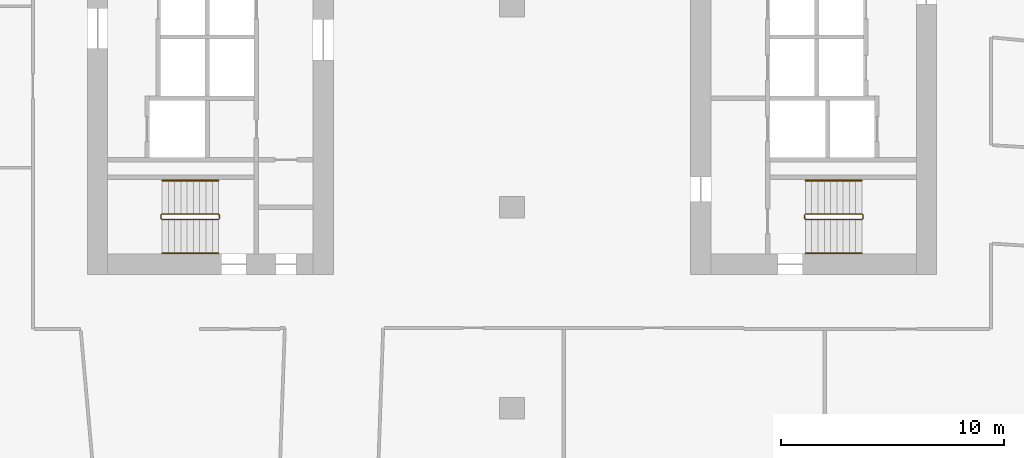
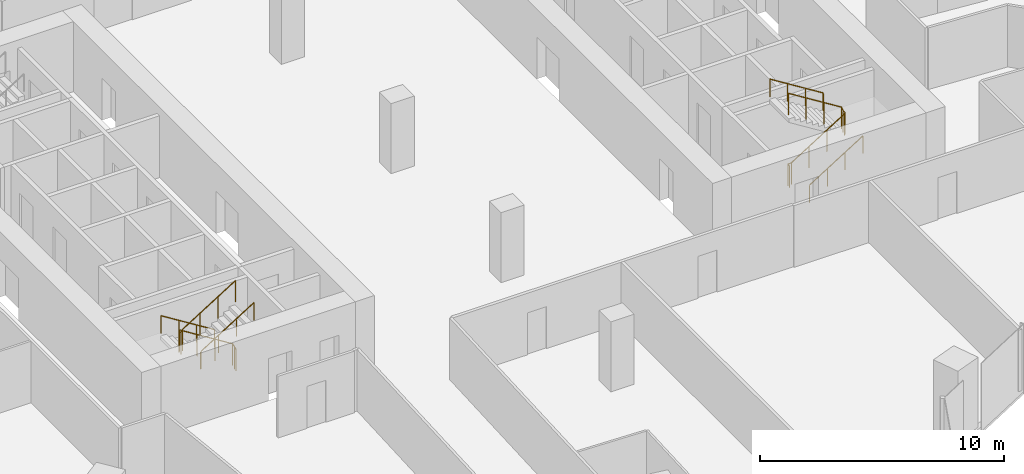
# One storey, part 32 of 34: 6 railings.
"""IFC4 building model written with IfcOpenShell, lengths in metres."""

from ifc_helpers import new_model, si_unit, direction, frame, origin, origin_2d, place, context, subcontext, project, spatial, circle, extrude, material, type_object, element, save


model = new_model("IFC4")

# Units and contexts
model_context = context("Model", 3, precision=1e-05, world=origin(), true_north=direction((0.0, 1.0)))
body_context = subcontext(model_context, "Body", "Model", "MODEL_VIEW")
ifc_project = project(units=[si_unit("LENGTHUNIT", "METRE"), si_unit("AREAUNIT", "SQUARE_METRE"), si_unit("VOLUMEUNIT", "CUBIC_METRE"), si_unit("PLANEANGLEUNIT", "RADIAN"), si_unit("MASSUNIT", "GRAM", prefix="KILO")], contexts=[model_context])

# Site, building, storey
site_placement = place(None, origin())
site = spatial("IfcSite", under=ifc_project, at=site_placement, CompositionType="ELEMENT")
building_placement = place(site_placement, origin())
building = spatial("IfcBuilding", under=site, at=building_placement, Name="Orlundy Tower", CompositionType="ELEMENT")
storey_placement = place(building_placement, frame((0.0, 0.0, 130.699951171875)))
storey = spatial("IfcBuildingStorey", under=building, at=storey_placement, Name="L33", CompositionType="ELEMENT", Elevation=130.699951171875)

# Railings
ifc_material_1 = material(Name="Steel balustrade", Category="steel")
railing_type_1 = type_object("IfcRailingType", Name="Stair Guard 1100", PredefinedType="GUARDRAIL", material=ifc_material_1)
railing_1_placement = place(storey_placement, frame((-13.090087890625, -9.35009765625, 0.0)))
element("IfcRailing", 1, at=railing_1_placement, inside=storey, type_object=railing_type_1, Name="L33 ST-W2 stair guard 1", PredefinedType="GUARDRAIL", context=body_context, shape_type="SweptSolid", body=[
    extrude(circle(Radius=0.02392578125, at=origin_2d()), frame((0.0, 0.0, 1.076171875), z_axis=(0.0, -1.0, 0.0), x_axis=(1.0, 0.0, 0.0)), (0.0, 0.0, 1.0), 0.14990234375),
    extrude(circle(Radius=0.02392578125, at=origin_2d()), frame((0.0, -0.14990234375, 1.076171875), z_axis=(-0.18420542264, 0.739530593833, 0.647427882513), x_axis=(-0.970351222016, -0.241699205484, 0.0)), (0.0, 0.0, 1.0), 0.270263671875),
    extrude(circle(Radius=0.02392578125, at=origin_2d()), frame((-0.0498046875, 0.050048828125, 1.2509765625), z_axis=(-0.848007534815, 0.0, 0.529984170421), x_axis=(0.0, -1.0, 0.0)), (0.0, 0.0, 1.0), 2.9716796875),
    extrude(circle(Radius=0.02392578125, at=origin_2d()), frame((-2.56982421875, 0.050048828125, 2.826171875), z_axis=(-0.707106781187, -0.707106781187, 0.0), x_axis=(0.707106781187, -0.707106781187, 0.0)), (0.0, 0.0, 1.0), 0.07080078125),
    extrude(circle(Radius=0.02392578125, at=origin_2d()), frame((-2.619873046875, 0.0, 2.826171875), z_axis=(0.0, -1.0, 0.0), x_axis=(1.0, 0.0, 0.0)), (0.0, 0.0, 1.0), 0.14990234375),
    extrude(circle(Radius=0.02392578125, at=origin_2d()), frame((-2.619873046875, -0.14990234375, 2.826171875), z_axis=(0.265065253269, -0.265065253269, 0.927081885822), x_axis=(0.707106781187, 0.707106781187, 0.0)), (0.0, 0.0, 1.0), 0.188720703125),
    extrude(circle(Radius=0.02392578125, at=origin_2d()), frame((-2.56982421875, -0.199951171875, 3.0009765625), z_axis=(0.848007534815, 0.0, 0.529984170421), x_axis=(0.0, 1.0, 0.0)), (0.0, 0.0, 1.0), 2.9716796875),
    extrude(circle(Radius=0.02099609375, at=origin_2d()), origin(), (0.0, 0.0, 1.0), 1.052001953125),
    extrude(circle(Radius=0.02099609375, at=origin_2d()), frame((0.0, -0.14990234375, 0.0)), (0.0, 0.0, 1.0), 1.052001953125),
    extrude(circle(Radius=0.02099609375, at=origin_2d()), frame((-0.0498046875, 0.050048828125, 0.175048828125)), (0.0, 0.0, 1.0), 1.052001953125),
    extrude(circle(Radius=0.02099609375, at=origin_2d()), frame((-0.889892578125, 0.050048828125, 0.699951171875)), (0.0, 0.0, 1.0), 1.052001953125),
    extrude(circle(Radius=0.02099609375, at=origin_2d()), frame((-1.729736328125, 0.050048828125, 1.22509765625)), (0.0, 0.0, 1.0), 1.052001953125),
    extrude(circle(Radius=0.02099609375, at=origin_2d()), frame((-2.56982421875, 0.050048828125, 1.75)), (0.0, 0.0, 1.0), 1.052001953125),
    extrude(circle(Radius=0.02099609375, at=origin_2d()), frame((-2.619873046875, 0.0, 1.75)), (0.0, 0.0, 1.0), 1.052001953125),
    extrude(circle(Radius=0.02099609375, at=origin_2d()), frame((-2.619873046875, -0.14990234375, 1.75)), (0.0, 0.0, 1.0), 1.052001953125),
    extrude(circle(Radius=0.02099609375, at=origin_2d()), frame((-2.56982421875, -0.199951171875, 1.925048828125)), (0.0, 0.0, 1.0), 1.052001953125),
    extrude(circle(Radius=0.02099609375, at=origin_2d()), frame((-1.729736328125, -0.199951171875, 2.449951171875)), (0.0, 0.0, 1.0), 1.052001953125),
    extrude(circle(Radius=0.02099609375, at=origin_2d()), frame((-0.889892578125, -0.199951171875, 2.97509765625)), (0.0, 0.0, 1.0), 1.052001953125),
    extrude(circle(Radius=0.02099609375, at=origin_2d()), frame((-0.0498046875, -0.199951171875, 3.5)), (0.0, 0.0, 1.0), 1.052001953125),
])
railing_2_placement = place(storey_placement, frame((13.090087890625, -9.5, 0.0)))
element("IfcRailing", 2, at=railing_2_placement, inside=storey, type_object=railing_type_1, Name="L33 ST-E1 stair guard 1", PredefinedType="GUARDRAIL", context=body_context, shape_type="SweptSolid", body=[
    extrude(circle(Radius=0.02392578125, at=origin_2d()), frame((0.0, 0.0, 1.076171875), z_axis=(0.0, 1.0, 0.0), x_axis=(-1.0, 0.0, 0.0)), (0.0, 0.0, 1.0), 0.14990234375),
    extrude(circle(Radius=0.02392578125, at=origin_2d()), frame((0.0, 0.14990234375, 1.076171875), z_axis=(0.18420542264, -0.739530593833, 0.647427882513), x_axis=(0.970351222016, 0.241699205484, 0.0)), (0.0, 0.0, 1.0), 0.270263671875),
    extrude(circle(Radius=0.02392578125, at=origin_2d()), frame((0.0498046875, -0.050048828125, 1.2509765625), z_axis=(0.848007534815, 0.0, 0.529984170421), x_axis=(0.0, 1.0, 0.0)), (0.0, 0.0, 1.0), 2.9716796875),
    extrude(circle(Radius=0.02392578125, at=origin_2d()), frame((2.56982421875, -0.050048828125, 2.826171875), z_axis=(0.707106781187, 0.707106781187, 0.0), x_axis=(-0.707106781187, 0.707106781187, 0.0)), (0.0, 0.0, 1.0), 0.07080078125),
    extrude(circle(Radius=0.02392578125, at=origin_2d()), frame((2.619873046875, 0.0, 2.826171875), z_axis=(0.0, 1.0, 0.0), x_axis=(-1.0, 0.0, 0.0)), (0.0, 0.0, 1.0), 0.14990234375),
    extrude(circle(Radius=0.02392578125, at=origin_2d()), frame((2.619873046875, 0.14990234375, 2.826171875), z_axis=(-0.265065253269, 0.265065253269, 0.927081885822), x_axis=(-0.707106781187, -0.707106781187, 0.0)), (0.0, 0.0, 1.0), 0.188720703125),
    extrude(circle(Radius=0.02392578125, at=origin_2d()), frame((2.56982421875, 0.199951171875, 3.0009765625), z_axis=(-0.848007534815, 0.0, 0.529984170421), x_axis=(0.0, -1.0, 0.0)), (0.0, 0.0, 1.0), 2.9716796875),
    extrude(circle(Radius=0.02099609375, at=origin_2d()), origin(), (0.0, 0.0, 1.0), 1.052001953125),
    extrude(circle(Radius=0.02099609375, at=origin_2d()), frame((0.0, 0.14990234375, 0.0)), (0.0, 0.0, 1.0), 1.052001953125),
    extrude(circle(Radius=0.02099609375, at=origin_2d()), frame((0.0498046875, -0.050048828125, 0.175048828125)), (0.0, 0.0, 1.0), 1.052001953125),
    extrude(circle(Radius=0.02099609375, at=origin_2d()), frame((0.889892578125, -0.050048828125, 0.699951171875)), (0.0, 0.0, 1.0), 1.052001953125),
    extrude(circle(Radius=0.02099609375, at=origin_2d()), frame((1.729736328125, -0.050048828125, 1.22509765625)), (0.0, 0.0, 1.0), 1.052001953125),
    extrude(circle(Radius=0.02099609375, at=origin_2d()), frame((2.56982421875, -0.050048828125, 1.75)), (0.0, 0.0, 1.0), 1.052001953125),
    extrude(circle(Radius=0.02099609375, at=origin_2d()), frame((2.619873046875, 0.0, 1.75)), (0.0, 0.0, 1.0), 1.052001953125),
    extrude(circle(Radius=0.02099609375, at=origin_2d()), frame((2.619873046875, 0.14990234375, 1.75)), (0.0, 0.0, 1.0), 1.052001953125),
    extrude(circle(Radius=0.02099609375, at=origin_2d()), frame((2.56982421875, 0.199951171875, 1.925048828125)), (0.0, 0.0, 1.0), 1.052001953125),
    extrude(circle(Radius=0.02099609375, at=origin_2d()), frame((1.729736328125, 0.199951171875, 2.449951171875)), (0.0, 0.0, 1.0), 1.052001953125),
    extrude(circle(Radius=0.02099609375, at=origin_2d()), frame((0.889892578125, 0.199951171875, 2.97509765625)), (0.0, 0.0, 1.0), 1.052001953125),
    extrude(circle(Radius=0.02099609375, at=origin_2d()), frame((0.0498046875, 0.199951171875, 3.5)), (0.0, 0.0, 1.0), 1.052001953125),
])
ifc_material_2 = material(Name="Steel handrail", Category="steel")
railing_type_2 = type_object("IfcRailingType", Name="Stair Handrail 900", PredefinedType="HANDRAIL", material=ifc_material_2)
railing_3_placement = place(storey_placement, frame((-13.139892578125, -7.800048828125, 0.175048828125)))
element("IfcRailing", 3, at=railing_3_placement, inside=storey, type_object=railing_type_2, Name="L33 ST-W2 stair handrail 1", PredefinedType="HANDRAIL", context=body_context, shape_type="SweptSolid", body=[
    extrude(circle(Radius=0.02392578125, at=origin_2d()), frame((0.0, 0.0, 0.8759765625), z_axis=(-0.848007534815, 0.0, 0.529984170421), x_axis=(0.0, -1.0, 0.0)), (0.0, 0.0, 1.0), 2.9716796875),
    extrude(circle(Radius=0.02099609375, at=origin_2d()), origin(), (0.0, 0.0, 1.0), 0.851806640625),
    extrude(circle(Radius=0.02099609375, at=origin_2d()), frame((-0.840087890625, 0.0, 0.52490234375)), (0.0, 0.0, 1.0), 0.851806640625),
    extrude(circle(Radius=0.02099609375, at=origin_2d()), frame((-1.679931640625, 0.0, 1.050048828125)), (0.0, 0.0, 1.0), 0.851806640625),
    extrude(circle(Radius=0.02099609375, at=origin_2d()), frame((-2.52001953125, 0.0, 1.574951171875)), (0.0, 0.0, 1.0), 0.851806640625),
])
for number, where, name in (
    (4, (-15.659912109375, -11.050048828125, 1.925048828125), "L33 ST-W2 stair handrail 2"),
    (5, (13.139892578125, -11.050048828125, 0.175048828125), "L33 ST-E1 stair handrail 1"),
):
    element("IfcRailing", number, at=place(storey_placement, frame(where)), inside=storey, type_object=railing_type_2, Name=name, PredefinedType="HANDRAIL", context=body_context, shape_type="SweptSolid", body=[
        extrude(circle(Radius=0.02392578125, at=origin_2d()), frame((0.0, 0.0, 0.8759765625), z_axis=(0.848007534815, 0.0, 0.529984170421), x_axis=(0.0, 1.0, 0.0)), (0.0, 0.0, 1.0), 2.9716796875),
        extrude(circle(Radius=0.02099609375, at=origin_2d()), origin(), (0.0, 0.0, 1.0), 0.851806640625),
        extrude(circle(Radius=0.02099609375, at=origin_2d()), frame((0.840087890625, 0.0, 0.52490234375)), (0.0, 0.0, 1.0), 0.851806640625),
        extrude(circle(Radius=0.02099609375, at=origin_2d()), frame((1.679931640625, 0.0, 1.050048828125)), (0.0, 0.0, 1.0), 0.851806640625),
        extrude(circle(Radius=0.02099609375, at=origin_2d()), frame((2.52001953125, 0.0, 1.574951171875)), (0.0, 0.0, 1.0), 0.851806640625),
    ])
railing_4_placement = place(storey_placement, frame((15.659912109375, -7.800048828125, 1.925048828125)))
element("IfcRailing", 6, at=railing_4_placement, inside=storey, type_object=railing_type_2, Name="L33 ST-E1 stair handrail 2", PredefinedType="HANDRAIL", context=body_context, shape_type="SweptSolid", body=[
    extrude(circle(Radius=0.02392578125, at=origin_2d()), frame((0.0, 0.0, 0.8759765625), z_axis=(-0.848007534815, 0.0, 0.529984170421), x_axis=(0.0, -1.0, 0.0)), (0.0, 0.0, 1.0), 2.9716796875),
    extrude(circle(Radius=0.02099609375, at=origin_2d()), origin(), (0.0, 0.0, 1.0), 0.851806640625),
    extrude(circle(Radius=0.02099609375, at=origin_2d()), frame((-0.840087890625, 0.0, 0.52490234375)), (0.0, 0.0, 1.0), 0.851806640625),
    extrude(circle(Radius=0.02099609375, at=origin_2d()), frame((-1.679931640625, 0.0, 1.050048828125)), (0.0, 0.0, 1.0), 0.851806640625),
    extrude(circle(Radius=0.02099609375, at=origin_2d()), frame((-2.52001953125, 0.0, 1.574951171875)), (0.0, 0.0, 1.0), 0.851806640625),
])

save(model, "model.ifc")
